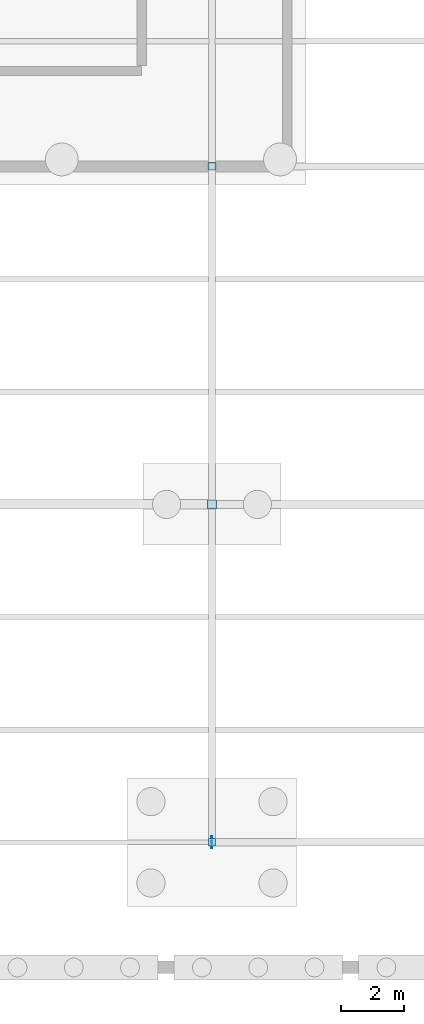
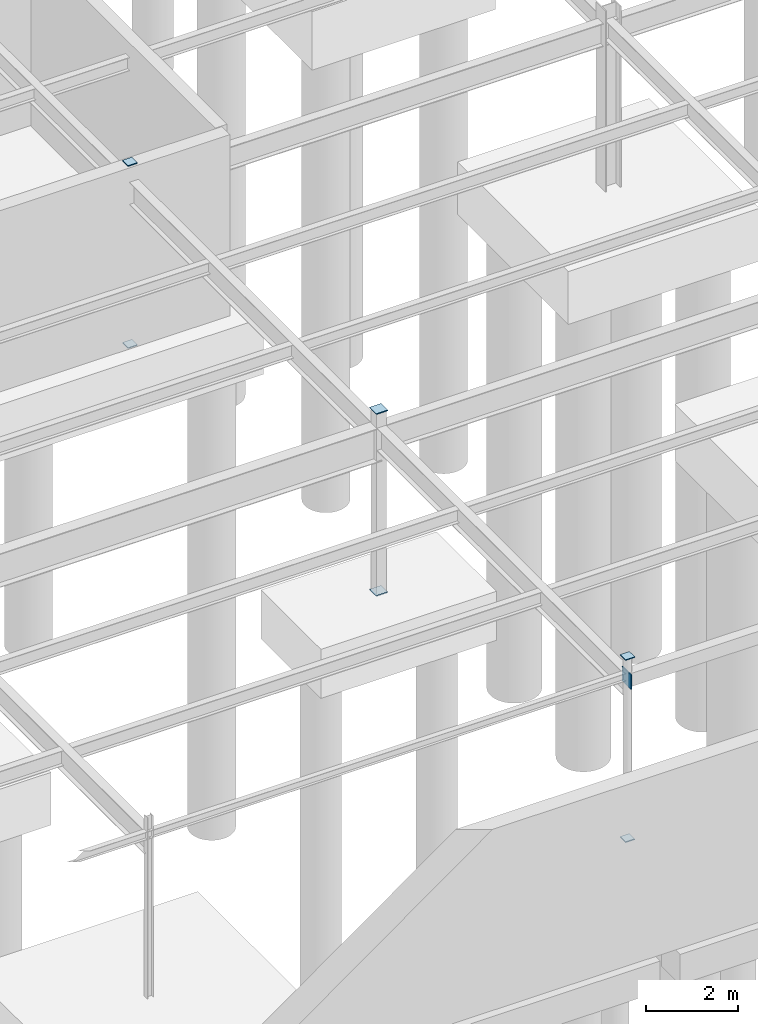
# One storey, part 104 of 136: 7 plates.
"""IFC4 building model written with IfcOpenShell, lengths in metres."""

from ifc_helpers import new_model, si_unit, direction, frame, origin, origin_2d, place, context, subcontext, project, spatial, rectangle, extrude, material, layer, layer_set, type_object, element, save


model = new_model("IFC4")

# Units and contexts
model_context = context("Model", 3, precision=1e-05, world=origin(), true_north=direction((0.0, 1.0)))
body_context = subcontext(model_context, "Body", "Model", "MODEL_VIEW")
ifc_project = project(units=[si_unit("LENGTHUNIT", "METRE"), si_unit("AREAUNIT", "SQUARE_METRE"), si_unit("VOLUMEUNIT", "CUBIC_METRE"), si_unit("PLANEANGLEUNIT", "RADIAN"), si_unit("MASSUNIT", "GRAM", prefix="KILO")], contexts=[model_context])

# Site, building, storey
site_placement = place(None, origin())
site = spatial("IfcSite", under=ifc_project, at=site_placement, CompositionType="ELEMENT")
building_placement = place(site_placement, origin())
building = spatial("IfcBuilding", under=site, at=building_placement, Name="Tarnwether General Hospital", CompositionType="ELEMENT")
storey_placement = place(building_placement, frame((0.0, 0.0, -4.800048828125)))
storey = spatial("IfcBuildingStorey", under=building, at=storey_placement, Name="LG", CompositionType="ELEMENT", Elevation=-4.800048828125)

# Plates
ifc_material = material(Name="Steel Grade 350 (350 MPa)", Category="steel")
ifc_layer = layer(ifc_material, 0.02490234375)
ifc_layer_set = layer_set([ifc_layer], Name="Steel Grade 350 (350 MPa)")
plate_type = type_object("IfcPlateType", Name="PT-GUS2", PredefinedType="USERDEFINED", material=ifc_layer_set)
for number, where, z_axis, x_axis, name in (
    (1, (168.0, 0.0, -0.02490234375), (0.0, 0.0, 1.0), (1.0, 0.0, 0.0), "Hollow Section Welded End Cap Plate 0361"),
    (2, (168.0, 0.0, 4.800048828125), (0.0, 0.0, 1.0), (1.0, 0.0, 0.0), "Hollow Section Welded End Cap Plate 0362"),
):
    element("IfcPlate", number, at=place(storey_placement, frame(where, z_axis=z_axis, x_axis=x_axis)), inside=storey, type_object=plate_type, Name=name, ObjectType="GUSSET", PredefinedType="USERDEFINED", context=body_context, shape_type="SweptSolid", body=[
        extrude(rectangle(XDim=0.23388671875, YDim=0.23388671875, at=origin_2d()), origin(), (0.0, 0.0, 1.0), 0.02490234375),
    ])
for number, where, z_axis, x_axis, name in (
    (3, (168.0, 10.800048828125, -0.02490234375), (0.0, 0.0, 1.0), (1.0, 0.0, 0.0), "Hollow Section Welded End Cap Plate 0367"),
    (4, (168.0, 10.800048828125, 4.800048828125), (0.0, 0.0, 1.0), (1.0, 0.0, 0.0), "Hollow Section Welded End Cap Plate 0368"),
):
    element("IfcPlate", number, at=place(storey_placement, frame(where, z_axis=z_axis, x_axis=x_axis)), inside=storey, type_object=plate_type, Name=name, ObjectType="GUSSET", PredefinedType="USERDEFINED", context=body_context, shape_type="SweptSolid", body=[
        extrude(rectangle(XDim=0.2900390625, YDim=0.2900390625, at=origin_2d()), origin(), (0.0, 0.0, 1.0), 0.02490234375),
    ])
for number, where, z_axis, x_axis, name in (
    (5, (168.0, 21.60009765625, -0.02490234375), (0.0, 0.0, 1.0), (1.0, 0.0, 0.0), "Hollow Section Welded End Cap Plate 0371"),
    (6, (168.0, 21.60009765625, 4.800048828125), (0.0, 0.0, 1.0), (1.0, 0.0, 0.0), "Hollow Section Welded End Cap Plate 0372"),
):
    element("IfcPlate", number, at=place(storey_placement, frame(where, z_axis=z_axis, x_axis=x_axis)), inside=storey, type_object=plate_type, Name=name, ObjectType="GUSSET", PredefinedType="USERDEFINED", context=body_context, shape_type="SweptSolid", body=[
        extrude(rectangle(XDim=0.239990234375, YDim=0.239990234375, at=origin_2d()), origin(), (0.0, 0.0, 1.0), 0.02490234375),
    ])
plate_placement = place(storey_placement, frame((167.987548828125, 0.0, 4.05029296875), z_axis=(0.0, 0.0, 1.0), x_axis=(1.0, 0.0, 0.0)))
element("IfcPlate", 7, at=plate_placement, inside=storey, type_object=plate_type, Name="Hollow Section Welded End Cap Plate 0841", ObjectType="GUSSET", PredefinedType="USERDEFINED", context=body_context, shape_type="SweptSolid", body=[
    extrude(rectangle(XDim=0.02490234375, YDim=0.389892578125, at=origin_2d()), origin(), (0.0, 0.0, 1.0), 0.389892578125),
])

save(model, "model.ifc")
